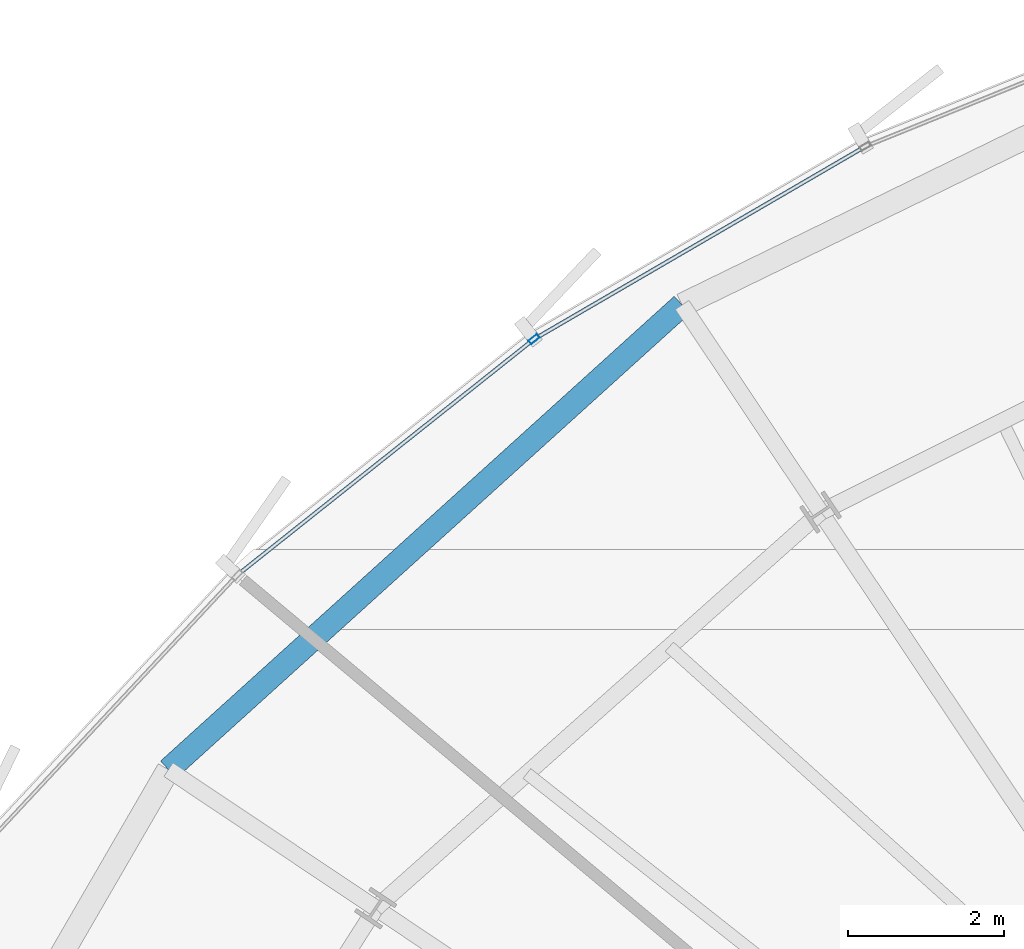
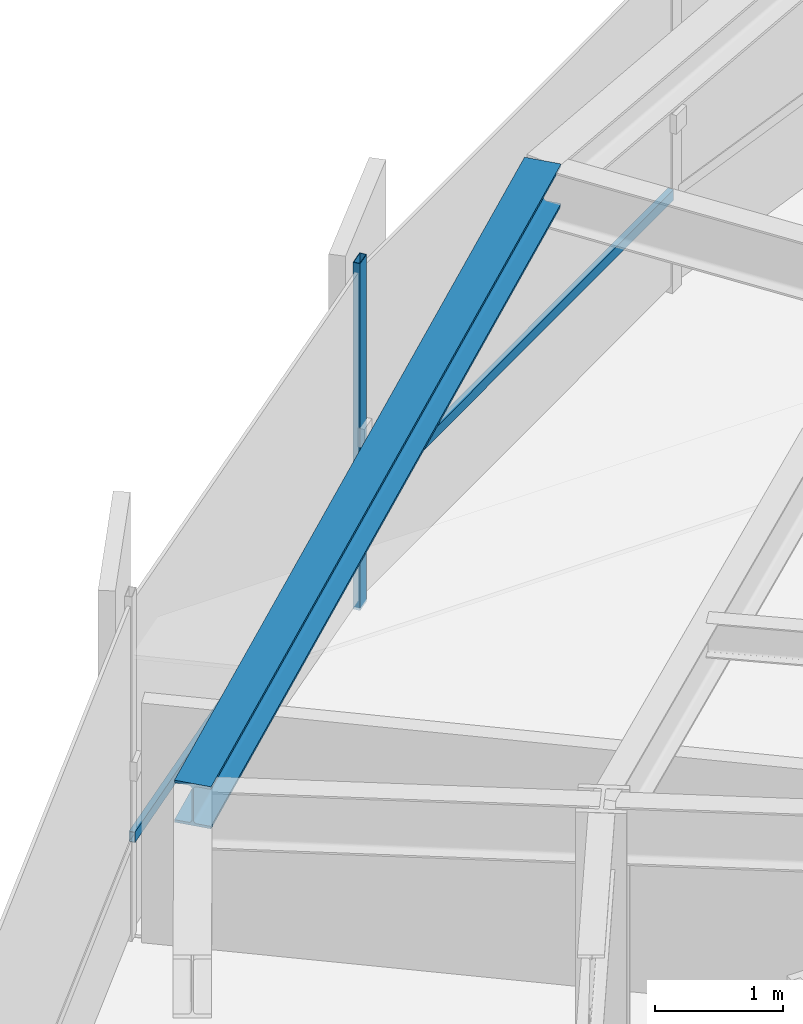
# One storey, part 20 of 35: 3 members, 1 beam, 1 element without a shape of its own.
"""IFC4 building model written with IfcOpenShell, lengths in metres."""

from ifc_helpers import new_model, si_unit, direction, frame, origin, origin_2d, place, context, subcontext, project, spatial, hollow_rectangle, i_section, extrude, source, transform, mapped, material, layer, layer_set, material_profile, profile_set, type_object, element, aggregate, save


model = new_model("IFC4")

# Units and contexts
model_context = context("Model", 3, precision=1e-05, world=origin(), true_north=direction((0.0, 1.0)))
body_context = subcontext(model_context, "Body", "Model", "MODEL_VIEW")
ifc_project = project(units=[si_unit("LENGTHUNIT", "METRE"), si_unit("AREAUNIT", "SQUARE_METRE"), si_unit("VOLUMEUNIT", "CUBIC_METRE"), si_unit("PLANEANGLEUNIT", "RADIAN"), si_unit("MASSUNIT", "GRAM", prefix="KILO"), si_unit("THERMODYNAMICTEMPERATUREUNIT", "KELVIN")], contexts=[model_context])

# Site, building, storey
site_placement = place(None, origin())
site = spatial("IfcSite", under=ifc_project, at=site_placement, CompositionType="ELEMENT")
building_placement = place(site_placement, origin())
building = spatial("IfcBuilding", under=site, at=building_placement, Name="Kethvar Cultural Tower", CompositionType="ELEMENT")
storey_placement = place(building_placement, frame((0.0, 0.0, 139.449951171875)))
storey = spatial("IfcBuildingStorey", under=building, at=storey_placement, Name="L35", CompositionType="ELEMENT", Elevation=139.449951171875)

# Beam
ifc_material_1 = material(Name="Steel S355J2", Category="steel")
ifc_material_profile_1 = material_profile(ifc_material_1, i_section(OverallWidth=0.300048828125, OverallDepth=0.39990234375, WebThickness=0.013427734375, FlangeThickness=0.02392578125, FilletRadius=0.027099609375, at=origin_2d()), Name="Steel S355J2 — HEB400")
ifc_profile_set_1 = profile_set([ifc_material_profile_1], Name="Steel S355J2 — HEB400")
beam_type = type_object("IfcBeamType", Name="BM-SP400", PredefinedType="SPANDREL", material=ifc_profile_set_1)
shared_shape_1 = source(origin(), body_context, "Body", "SweptSolid", [
    extrude(i_section(OverallWidth=0.300048828125, OverallDepth=0.39990234375, WebThickness=0.013427734375, FlangeThickness=0.02392578125, FilletRadius=0.027099609375, at=origin_2d()), origin(), (0.0, 0.0, 1.0), 8.892822265625),
])
beam_placement = place(storey_placement, frame((34.27978515625, 46.5380859375, 3.09814453125), z_axis=(-0.741556591679, -0.670890319901, 0.0), x_axis=(0.670890319901, -0.741556591679, 0.0)))
element("IfcBeam", 1, at=beam_placement, inside=storey, type_object=beam_type, Name="L35 Perimeter Spandrel Beam SP-06", PredefinedType="SPANDREL", context=body_context, shape_type="MappedRepresentation", body=[
    mapped(shared_shape_1, transform((0.0, 0.0, 0.0), scale=1.0)),
])

# Curtain wall, members
ifc_material_2 = material(Name="Aluminium 6063-T6", Category="aluminium")
ifc_layer = layer(ifc_material_2, 0.179931640625, Name="Aluminium 6063-T6", Category="aluminium")
ifc_layer_set = layer_set([ifc_layer], Name="Aluminium 6063-T6 (180 mm)")
curtain_wall_type = type_object("IfcCurtainWallType", Name="CW-SYS-04-Z34", PredefinedType="NOTDEFINED", material=ifc_layer_set)
curtain_wall_placement = place(storey_placement, origin())
curtain_wall = element("IfcCurtainWall", 2, at=curtain_wall_placement, inside=storey, type_object=curtain_wall_type, Name="L35 Curtain Wall Run 02", PredefinedType="NOTDEFINED")
ifc_material_profile_2 = material_profile(ifc_material_2, hollow_rectangle(XDim=0.06005859375, YDim=0.139892578125, WallThickness=0.0048828125, at=origin_2d()), Name="Aluminium 6063-T6 — RHS140x60x5")
ifc_profile_set_2 = profile_set([ifc_material_profile_2], Name="Aluminium 6063-T6 — RHS140x60x5")
member_type_1 = type_object("IfcMemberType", Name="CW-SYS-04-Z34-MUL", PredefinedType="MULLION", material=ifc_profile_set_2)
shared_shape_2 = source(origin(), body_context, "Body", "SweptSolid", [
    extrude(hollow_rectangle(XDim=0.06005859375, YDim=0.139892578125, WallThickness=0.0048828125, at=origin_2d()), origin(), (0.0, 0.0, 1.0), 3.300048828125),
])
member_1_placement = place(storey_placement, frame((32.380126953125, 46.099609375, 0.0), z_axis=(0.0, 0.0, 1.0), x_axis=(0.622364375186, -0.782727656659, 0.0)))
member_1 = element("IfcMember", 3, at=member_1_placement, type_object=member_type_1, Name="CW-L35-R02 Mullion 5", PredefinedType="MULLION", context=body_context, shape_type="MappedRepresentation", body=[
    mapped(shared_shape_2, transform((0.0, 0.0, 0.0), scale=1.0)),
])
ifc_material_profile_3 = material_profile(ifc_material_2, hollow_rectangle(XDim=0.050048828125, YDim=0.10009765625, WallThickness=0.00390625, at=origin_2d()), Name="Aluminium 6063-T6 — RHS100x50x4")
ifc_profile_set_3 = profile_set([ifc_material_profile_3], Name="Aluminium 6063-T6 — RHS100x50x4")
member_type_2 = type_object("IfcMemberType", Name="CW-SYS-04-Z34-TRN", PredefinedType="USERDEFINED", material=ifc_profile_set_3)
shared_shape_3 = source(origin(), body_context, "Body", "SweptSolid", [
    extrude(hollow_rectangle(XDim=0.050048828125, YDim=0.10009765625, WallThickness=0.00390625, at=origin_2d()), origin(), (0.0, 0.0, 1.0), 4.8486328125),
])
member_2_placement = place(storey_placement, frame((36.5947265625, 48.551513671875, 0.949951171875), z_axis=(-0.864267940102, -0.503031736287, 0.0), x_axis=(0.503031736287, -0.864267940102, 0.0)))
member_2 = element("IfcMember", 4, at=member_2_placement, type_object=member_type_2, Name="CW-L35-R02 Transom 4", ObjectType="TRANSOM", PredefinedType="USERDEFINED", context=body_context, shape_type="MappedRepresentation", body=[
    mapped(shared_shape_3, transform((0.0, 0.0, 0.0), scale=1.0)),
])
shared_shape_4 = source(origin(), body_context, "Body", "SweptSolid", [
    extrude(hollow_rectangle(XDim=0.050048828125, YDim=0.10009765625, WallThickness=0.00390625, at=origin_2d()), origin(), (0.0, 0.0, 1.0), 4.800048828125),
])
member_3_placement = place(storey_placement, frame((32.34619140625, 46.07275390625, 0.949951171875), z_axis=(-0.782706353948, -0.62239116598, 0.0), x_axis=(0.62239116598, -0.782706353948, 0.0)))
member_3 = element("IfcMember", 5, at=member_3_placement, type_object=member_type_2, Name="CW-L35-R02 Transom 5", ObjectType="TRANSOM", PredefinedType="USERDEFINED", context=body_context, shape_type="MappedRepresentation", body=[
    mapped(shared_shape_4, transform((0.0, 0.0, 0.0), scale=1.0)),
])
aggregate(curtain_wall, [member_1, member_2, member_3])

save(model, "model.ifc")
